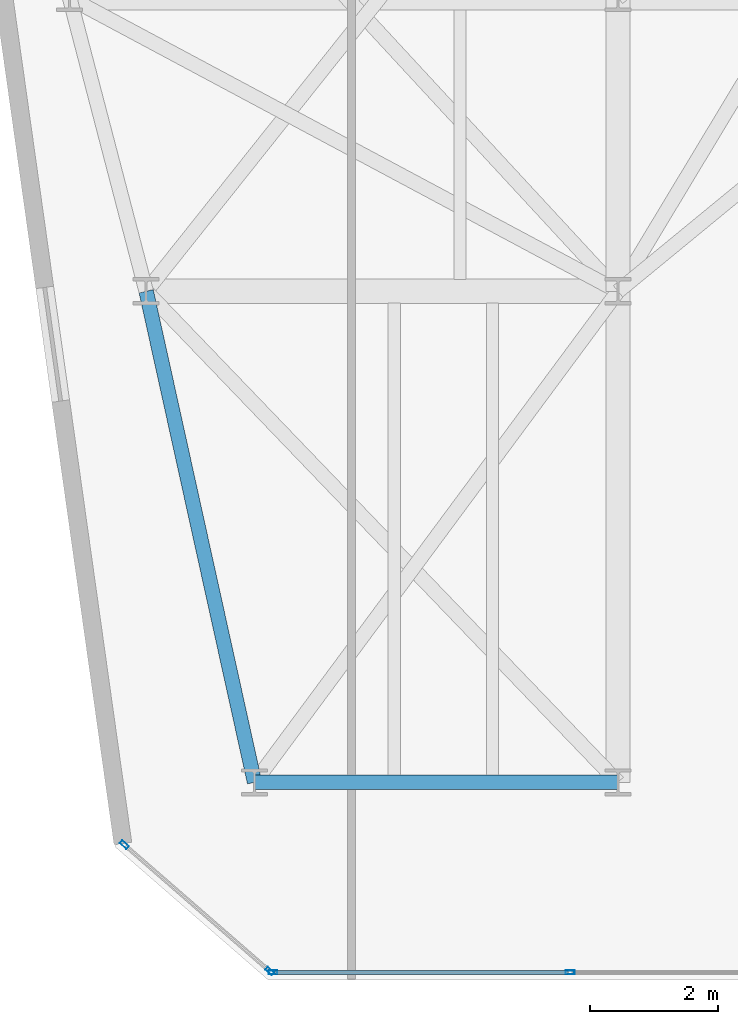
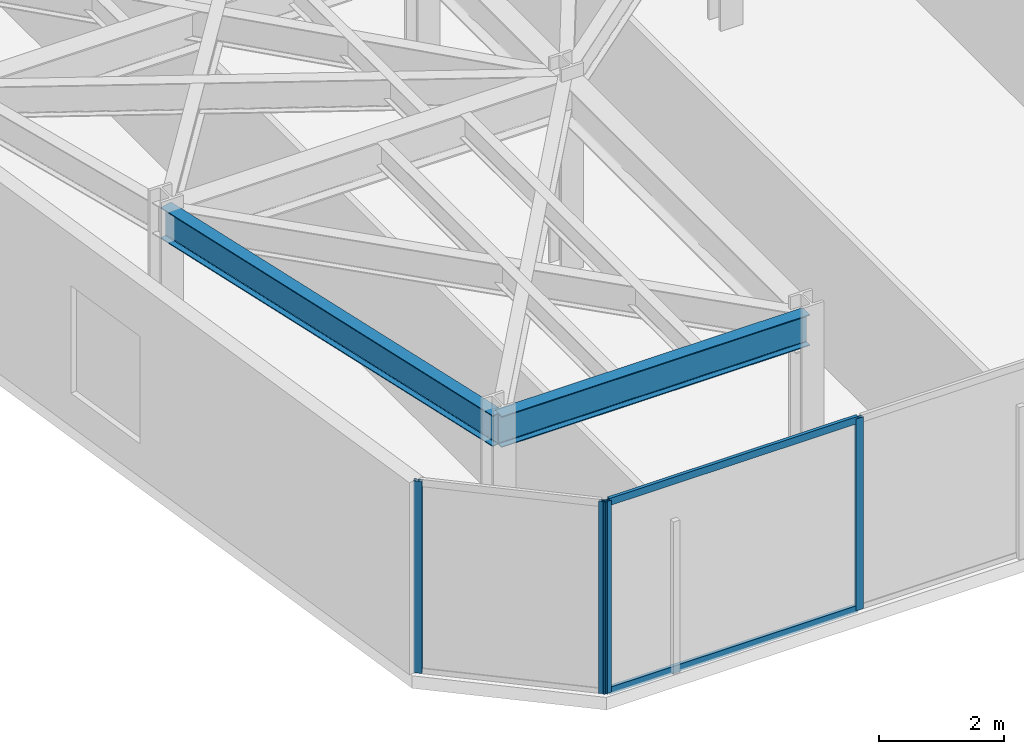
# One storey, part 2 of 21: 6 members, 2 beams, 2 elements without a shape of their own.
"""IFC4 building model written with IfcOpenShell, lengths in metres."""

import ifcopenshell
import ifcopenshell.guid

model = None  # the IFC model being written
_history = None  # IfcOwnerHistory: only IFC2X3 demands one
_inside = {}  # id of a spatial element -> (the spatial element, [elements in it])
_under = {}  # id of a project, library or spatial element -> (it, [spatial elements below it])
_declared = {}  # id of a project -> (the project, [libraries it declares])
_typed = {}  # id of a type object -> (the type object, [elements of that type])
_made_of = {}  # id of a material, layer set ... -> (it, [elements and type objects made of it])


def new_model(schema):
    """Start an empty IFC model of exactly this schema.

    Asked for "IFC4X3", IfcOpenShell would pick the latest addendum, in which some entities
    have other attributes; the version numbers below select the first issue.
    IFC2X3 requires an IfcOwnerHistory on every rooted entity: one is made here for all.
    """
    global model, _history
    if schema == "IFC4X3":
        model = ifcopenshell.file(schema_version=(4, 3, 0, 0))
    else:
        model = ifcopenshell.file(schema=schema)
    _inside.clear()
    _under.clear()
    _declared.clear()
    _typed.clear()
    _made_of.clear()
    _history = None
    if model.schema == "IFC2X3":
        org = make("IfcOrganization", Name="unknown")
        user = make(
            "IfcPersonAndOrganization",
            ThePerson=make("IfcPerson", FamilyName="unknown"),
            TheOrganization=org,
        )
        app = make(
            "IfcApplication",
            ApplicationDeveloper=org,
            Version="unknown",
            ApplicationFullName="unknown",
            ApplicationIdentifier="unknown",
        )
        _history = make(
            "IfcOwnerHistory",
            OwningUser=user,
            OwningApplication=app,
            ChangeAction="ADDED",
            CreationDate=0,
        )
    return model


def make(cls, **values):
    """One entity of the class cls with the attributes given. An attribute that is None is left unset."""
    return model.create_entity(
        cls, **{name: value for name, value in values.items() if value is not None}
    )


def rooted(cls, **values):
    """An entity with a GlobalId (a new one), such as an element, a storey or a relation."""
    return make(cls, GlobalId=ifcopenshell.guid.new(), OwnerHistory=_history, **values)


def si_unit(unit_type, name, prefix=None):
    """IfcSIUnit, for example si_unit("LENGTHUNIT", "METRE", prefix="MILLI")."""
    return make("IfcSIUnit", UnitType=unit_type, Prefix=prefix, Name=name)


def assignment(units):
    """IfcUnitAssignment: the units of a project."""
    return None if units is None else make("IfcUnitAssignment", Units=units)


def point(xyz):
    """IfcCartesianPoint."""
    return None if xyz is None else make("IfcCartesianPoint", Coordinates=xyz)


def direction(xyz):
    """IfcDirection."""
    return None if xyz is None else make("IfcDirection", DirectionRatios=xyz)


def frame(location, z_axis=None, x_axis=None):
    """IfcAxis2Placement3D, a coordinate frame: its origin and axes. An axis left out is left unset."""
    return make(
        "IfcAxis2Placement3D",
        Location=point(location),
        Axis=direction(z_axis),
        RefDirection=direction(x_axis),
    )


def frame_2d(location, x_axis=None):
    """IfcAxis2Placement2D, a coordinate frame in the plane: its origin and x axis."""
    return make(
        "IfcAxis2Placement2D", Location=point(location), RefDirection=direction(x_axis)
    )


def origin():
    """The frame at (0, 0, 0) with its axes left unset."""
    return frame((0.0, 0.0, 0.0))


def origin_2d():
    """The frame at (0, 0) in the plane with its x axis left unset."""
    return frame_2d((0.0, 0.0))


def place(relative_to, where):
    """IfcLocalPlacement: puts the frame where relative to a parent placement (None: the world)."""
    return make(
        "IfcLocalPlacement", PlacementRelTo=relative_to, RelativePlacement=where
    )


def context(
    kind, dimensions, precision=None, world=None, true_north=None, identifier=None
):
    """IfcGeometricRepresentationContext, for example the 3D "Model" context."""
    return make(
        "IfcGeometricRepresentationContext",
        ContextIdentifier=identifier,
        ContextType=kind,
        CoordinateSpaceDimension=dimensions,
        Precision=precision,
        WorldCoordinateSystem=world,
        TrueNorth=true_north,
    )


def subcontext(parent, identifier, kind, view, scale=None):
    """IfcGeometricRepresentationSubContext, for example "Body" below "Model"."""
    return make(
        "IfcGeometricRepresentationSubContext",
        ContextIdentifier=identifier,
        ContextType=kind,
        ParentContext=parent,
        TargetScale=scale,
        TargetView=view,
    )


def project(units=None, contexts=None):
    """IfcProject with its units and contexts."""
    return rooted(
        "IfcProject",
        Name="project",
        RepresentationContexts=contexts,
        UnitsInContext=assignment(units),
    )


def spatial(cls, under=None, at=None, **own):
    """A site, building, storey or space (cls), placed at a placement, below another one or the project."""
    s = rooted(cls, ObjectPlacement=at, **own)
    if under is not None:
        _under.setdefault(under.id(), (under, []))[1].append(s)
    return s


def profile(cls, at=None, kind="AREA", **sizes):
    """A parametric profile (cls). Its sizes go by their IFC names, for example OverallWidth=200.0."""
    return make(cls, ProfileType=kind, Position=at, **sizes)


def hollow_rectangle(**sizes):
    """IfcRectangleHollowProfileDef."""
    return profile("IfcRectangleHollowProfileDef", **sizes)


def i_section(**sizes):
    """IfcIShapeProfileDef."""
    return profile("IfcIShapeProfileDef", **sizes)


def extrude(swept, where, along, depth):
    """IfcExtrudedAreaSolid: the profile swept, set in the frame where, extruded along a direction by depth."""
    return make(
        "IfcExtrudedAreaSolid",
        SweptArea=swept,
        Position=where,
        ExtrudedDirection=direction(along),
        Depth=depth,
    )


def shape(context_of_items, identifier, shape_type, items):
    """IfcShapeRepresentation: the items that make up one representation, for example the "Body"."""
    return make(
        "IfcShapeRepresentation",
        ContextOfItems=context_of_items,
        RepresentationIdentifier=identifier,
        RepresentationType=shape_type,
        Items=items,
    )


def material(Name=None, Category=None):
    """IfcMaterial."""
    return make("IfcMaterial", Name=Name, Category=Category)


def layer(
    of_material, thickness, ventilated=None, Name=None, Category=None, Priority=None
):
    """IfcMaterialLayer: one layer of a wall or slab, of a material (None: an air gap)."""
    return make(
        "IfcMaterialLayer",
        Material=of_material,
        LayerThickness=thickness,
        IsVentilated=ventilated,
        Name=Name,
        Category=Category,
        Priority=Priority,
    )


def layer_set(layers, Name=None):
    """IfcMaterialLayerSet."""
    return make("IfcMaterialLayerSet", MaterialLayers=layers, LayerSetName=Name)


def material_profile(
    of_material, cross_section, Name=None, Category=None, Priority=None
):
    """IfcMaterialProfile: a cross section and its material."""
    return make(
        "IfcMaterialProfile",
        Name=Name,
        Material=of_material,
        Profile=cross_section,
        Priority=Priority,
        Category=Category,
    )


def profile_set(profiles, Name=None, composite=None):
    """IfcMaterialProfileSet."""
    return make(
        "IfcMaterialProfileSet",
        Name=Name,
        MaterialProfiles=profiles,
        CompositeProfile=composite,
    )


def made_of(thing, what):
    """Note that an element or type object is made of a material, layer set ...; save() writes the relation."""
    if what is not None:
        _made_of.setdefault(what.id(), (what, []))[1].append(thing)
    return thing


def type_object(cls, material=None, **own):
    """A type object (cls), such as IfcWallType, which elements share."""
    return made_of(rooted(cls, **own), material)


def element(
    cls,
    number,
    at=None,
    inside=None,
    cuts=None,
    type_object=None,
    material=None,
    context=None,
    identifier="Body",
    shape_type=None,
    held_by="IfcProductDefinitionShape",
    body=None,
    shapes=None,
    **own,
):
    """One element of the class cls, such as IfcWall. Its Tag is "e" and its number.

    at: its placement. inside: the storey or other place that contains it. cuts: it is an
    opening in that element (IfcRelVoidsElement). A single representation is given by context,
    identifier, shape_type and body (its items); several are given by shapes. held_by: the class
    of the entity that holds the representations. save() writes the other relations.
    """
    e = rooted(cls, Tag="e%d" % number, ObjectPlacement=at, **own)
    if body is not None:
        shapes = [shape(context, identifier, shape_type, body)]
    if shapes is not None:
        e.Representation = make(held_by, Representations=shapes)
    if inside is not None:
        _inside.setdefault(inside.id(), (inside, []))[1].append(e)
    if cuts is not None:
        rooted(
            "IfcRelVoidsElement", RelatingBuildingElement=cuts, RelatedOpeningElement=e
        )
    if type_object is not None:
        _typed.setdefault(type_object.id(), (type_object, []))[1].append(e)
    return made_of(e, material)


def aggregate(whole, parts):
    """IfcRelAggregates: a whole, such as a stair, and the parts it consists of."""
    return rooted("IfcRelAggregates", RelatingObject=whole, RelatedObjects=parts)


def save(model, path):
    """Write the relations noted so far, then the file.

    IfcRelAggregates (storeys below a building ...), IfcRelContainedInSpatialStructure (elements
    in a storey), IfcRelDefinesByType, IfcRelAssociatesMaterial and IfcRelDeclares: one each for
    every whole, place, type object, material and project.
    """
    for whole, parts in _under.values():
        aggregate(whole, parts)
    for where, things in _inside.values():
        rooted(
            "IfcRelContainedInSpatialStructure",
            RelatedElements=things,
            RelatingStructure=where,
        )
    for kind, things in _typed.values():
        rooted("IfcRelDefinesByType", RelatedObjects=things, RelatingType=kind)
    for what, things in _made_of.values():
        rooted("IfcRelAssociatesMaterial", RelatedObjects=things, RelatingMaterial=what)
    for by, libraries in _declared.values():
        rooted("IfcRelDeclares", RelatingContext=by, RelatedDefinitions=libraries)
    model.write(path)


model = new_model("IFC4")

# Units and contexts
model_context = context("Model", 3, precision=1e-05, world=origin(), true_north=direction((0.0, 1.0)))
body_context = subcontext(model_context, "Body", "Model", "MODEL_VIEW")
ifc_project = project(units=[si_unit("LENGTHUNIT", "METRE"), si_unit("AREAUNIT", "SQUARE_METRE"), si_unit("VOLUMEUNIT", "CUBIC_METRE"), si_unit("PLANEANGLEUNIT", "RADIAN"), si_unit("MASSUNIT", "GRAM", prefix="KILO")], contexts=[model_context])

# Site, building, storey
site_placement = place(None, origin())
site = spatial("IfcSite", under=ifc_project, at=site_placement, CompositionType="ELEMENT")
building_placement = place(site_placement, origin())
building = spatial("IfcBuilding", under=site, at=building_placement, Name="Kravanh Interchange Tower", CompositionType="ELEMENT")
storey_placement = place(building_placement, frame((0.0, 0.0, 168.5)))
storey = spatial("IfcBuildingStorey", under=building, at=storey_placement, Name="L40", CompositionType="ELEMENT", Elevation=168.5)

# Curtain wall, members
ifc_material_1 = material(Name="Anodised Bronze Aluminium", Category="aluminium")
ifc_layer = layer(ifc_material_1, 0.179931640625)
ifc_layer_set = layer_set([ifc_layer], Name="Unitised Curtain Wall System CW-Z3 Upper Office")
curtain_wall_type = type_object("IfcCurtainWallType", Name="Unitised Curtain Wall System CW-Z3 Upper Office", PredefinedType="NOTDEFINED", material=ifc_layer_set)
curtain_wall_1_placement = place(storey_placement, origin())
curtain_wall_1 = element("IfcCurtainWall", 1, at=curtain_wall_1_placement, inside=storey, type_object=curtain_wall_type, Name="L40 Unitised Curtain Wall CW-L40-05", PredefinedType="NOTDEFINED")
ifc_material_2 = material(Name="Anodised Bronze Aluminium", Category="aluminium")
ifc_material_profile_1 = material_profile(ifc_material_2, hollow_rectangle(XDim=0.06005859375, YDim=0.139892578125, WallThickness=0.00390625, at=origin_2d()), Name="ALU60X140X4")
ifc_profile_set_1 = profile_set([ifc_material_profile_1], Name="Anodised Bronze Aluminium")
member_type_1 = type_object("IfcMemberType", Name="Curtain Wall Mullion ALU60X140X4 Bronze", PredefinedType="MULLION", material=ifc_profile_set_1)
member_1_placement = place(storey_placement, frame((26.447998046875, 11.52001953125, 0.0), z_axis=(0.0, 0.0, 1.0), x_axis=(0.0, -1.0, 0.0)))
member_1 = element("IfcMember", 2, at=member_1_placement, type_object=member_type_1, Name="CW-Z3 mullion 2", PredefinedType="MULLION", context=body_context, shape_type="SweptSolid", body=[
    extrude(hollow_rectangle(XDim=0.06005859375, YDim=0.139892578125, WallThickness=0.00390625, at=origin_2d()), origin(), (0.0, 0.0, 1.0), 3.7548828125),
])
member_2_placement = place(storey_placement, frame((21.7890625, 11.52001953125, 0.0), z_axis=(0.0, 0.0, 1.0), x_axis=(0.0, -1.0, 0.0)))
member_2 = element("IfcMember", 3, at=member_2_placement, type_object=member_type_1, Name="CW-Z3 mullion 3", PredefinedType="MULLION", context=body_context, shape_type="SweptSolid", body=[
    extrude(hollow_rectangle(XDim=0.06005859375, YDim=0.139892578125, WallThickness=0.00390625, at=origin_2d()), origin(), (0.0, 0.0, 1.0), 3.7548828125),
])

curtain_wall_2_placement = place(storey_placement, origin())
curtain_wall_2 = element("IfcCurtainWall", 4, at=curtain_wall_2_placement, inside=storey, type_object=curtain_wall_type, Name="L40 Unitised Curtain Wall CW-L40-06", PredefinedType="NOTDEFINED")
member_3_placement = place(storey_placement, frame((21.736328125, 11.539794921875, 0.0), z_axis=(0.0, 0.0, 1.0), x_axis=(-0.65605090137, -0.754716645379, 0.0)))
member_3 = element("IfcMember", 5, at=member_3_placement, type_object=member_type_1, Name="CW-Z3 mullion 1", PredefinedType="MULLION", context=body_context, shape_type="SweptSolid", body=[
    extrude(hollow_rectangle(XDim=0.06005859375, YDim=0.139892578125, WallThickness=0.00390625, at=origin_2d()), origin(), (0.0, 0.0, 1.0), 3.7548828125),
])
member_4_placement = place(storey_placement, frame((19.45703125, 13.52099609375, 0.0), z_axis=(0.0, 0.0, 1.0), x_axis=(-0.65605090137, -0.754716645379, 0.0)))
member_4 = element("IfcMember", 6, at=member_4_placement, type_object=member_type_1, Name="CW-Z3 mullion 2", PredefinedType="MULLION", context=body_context, shape_type="SweptSolid", body=[
    extrude(hollow_rectangle(XDim=0.06005859375, YDim=0.139892578125, WallThickness=0.00390625, at=origin_2d()), origin(), (0.0, 0.0, 1.0), 3.7548828125),
])
aggregate(curtain_wall_2, [member_3, member_4])

# Member
ifc_material_3 = material(Name="Anodised Bronze Aluminium", Category="aluminium")
ifc_material_profile_2 = material_profile(ifc_material_3, hollow_rectangle(XDim=0.06005859375, YDim=0.139892578125, WallThickness=0.00390625, at=origin_2d()), Name="ALU60X140X4")
ifc_profile_set_2 = profile_set([ifc_material_profile_2], Name="Anodised Bronze Aluminium")
member_type_2 = type_object("IfcMemberType", Name="Curtain Wall Transom ALU60X140X4 Bronze", PredefinedType="USERDEFINED", material=ifc_profile_set_2)
member_5_placement = place(storey_placement, frame((26.41796875, 11.52001953125, 0.030029296875), z_axis=(-1.0, 0.0, 0.0), x_axis=(0.0, -1.0, 0.0)))
member_5 = element("IfcMember", 7, at=member_5_placement, type_object=member_type_2, Name="CW-Z3 transom 2.1", ObjectType="TRANSOM", PredefinedType="USERDEFINED", context=body_context, shape_type="SweptSolid", body=[
    extrude(hollow_rectangle(XDim=0.06005859375, YDim=0.139892578125, WallThickness=0.00390625, at=origin_2d()), origin(), (0.0, 0.0, 1.0), 4.598876953125),
])

member_6_placement = place(storey_placement, frame((26.41796875, 11.52001953125, 3.72509765625), z_axis=(-1.0, 0.0, 0.0), x_axis=(0.0, -1.0, 0.0)))
member_6 = element("IfcMember", 8, at=member_6_placement, type_object=member_type_2, Name="CW-Z3 transom 2.2", ObjectType="TRANSOM", PredefinedType="USERDEFINED", context=body_context, shape_type="SweptSolid", body=[
    extrude(hollow_rectangle(XDim=0.06005859375, YDim=0.139892578125, WallThickness=0.00390625, at=origin_2d()), origin(), (0.0, 0.0, 1.0), 4.598876953125),
])

aggregate(curtain_wall_1, [member_1, member_2, member_5, member_6])

# Beams
ifc_material_4 = material(Name="Structural Steel S355", Category="steel")
ifc_material_profile_3 = material_profile(ifc_material_4, i_section(OverallWidth=0.22802734375, OverallDepth=0.60791015625, WebThickness=0.01123046875, FlangeThickness=0.017333984375, FilletRadius=0.02197265625, at=origin_2d()), Name="W24X76")
ifc_profile_set_3 = profile_set([ifc_material_profile_3], Name="Structural Steel S355")
beam_type = type_object("IfcBeamType", Name="Floor Spandrel W24X76 Structural Steel S355", PredefinedType="SPANDREL", material=ifc_profile_set_3)
beam_1_placement = place(storey_placement, frame((21.5, 14.5, 3.450927734375), z_axis=(1.0, 0.0, 0.0), x_axis=(0.0, 1.0, 0.0)))
element("IfcBeam", 9, at=beam_1_placement, inside=storey, type_object=beam_type, Name="L40 Perimeter Spandrel 30", PredefinedType="SPANDREL", context=body_context, shape_type="SweptSolid", body=[
    extrude(i_section(OverallWidth=0.22802734375, OverallDepth=0.60791015625, WebThickness=0.01123046875, FlangeThickness=0.017333984375, FilletRadius=0.02197265625, at=origin_2d()), origin(), (0.0, 0.0, 1.0), 5.699951171875),
])
beam_2_placement = place(storey_placement, frame((21.5, 14.5, 3.450927734375), z_axis=(-0.215582892261, 0.976485543449, 0.0), x_axis=(-0.976485543449, -0.215582892261, 0.0)))
element("IfcBeam", 10, at=beam_2_placement, inside=storey, type_object=beam_type, Name="L40 Perimeter Spandrel 31", PredefinedType="SPANDREL", context=body_context, shape_type="SweptSolid", body=[
    extrude(i_section(OverallWidth=0.22802734375, OverallDepth=0.60791015625, WebThickness=0.01123046875, FlangeThickness=0.017333984375, FilletRadius=0.02197265625, at=origin_2d()), origin(), (0.0, 0.0, 1.0), 7.88525390625),
])

save(model, "model.ifc")
